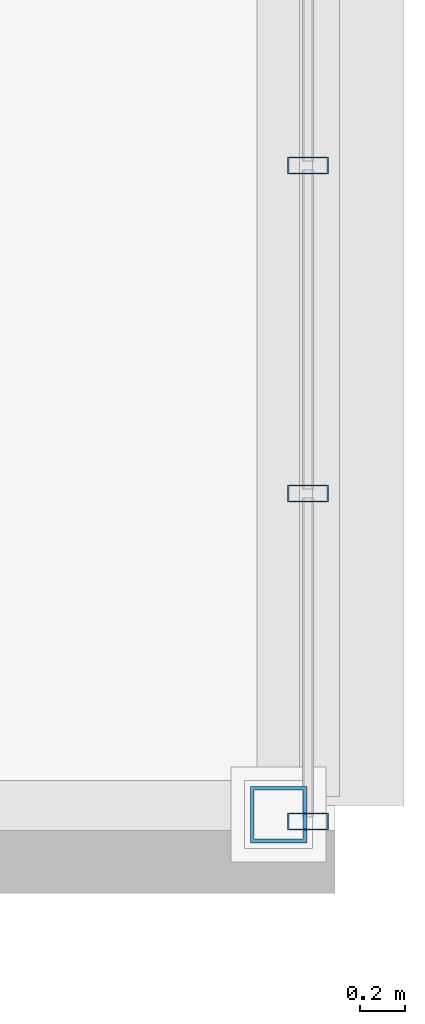
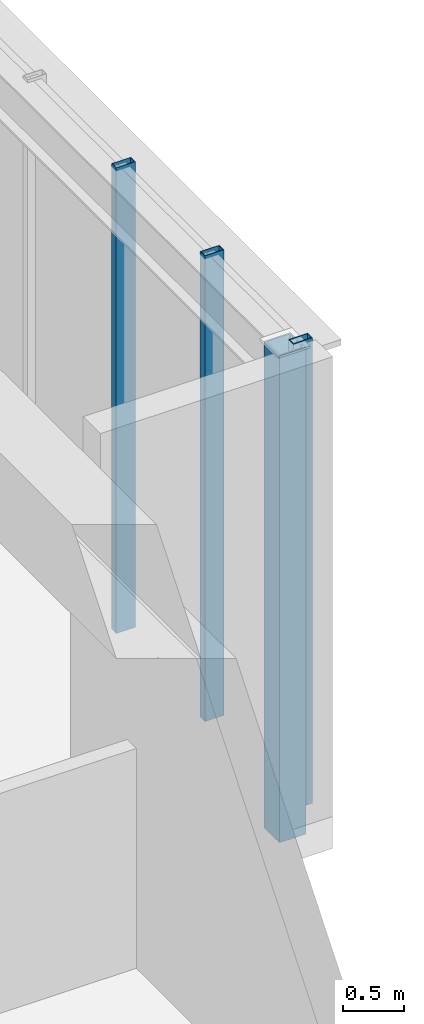
# One storey, part 12 of 26: 4 members, 1 element without a shape of its own.
"""IFC4 building model written with IfcOpenShell, lengths in metres."""

from ifc_helpers import new_model, si_unit, direction, frame, origin, origin_2d, place, context, subcontext, project, spatial, hollow_rectangle, extrude, material, material_profile, profile_set, type_object, element, aggregate, save


model = new_model("IFC4")

# Units and contexts
model_context = context("Model", 3, precision=1e-05, world=origin(), true_north=direction((0.0, 1.0)))
body_context = subcontext(model_context, "Body", "Model", "MODEL_VIEW")
ifc_project = project(units=[si_unit("LENGTHUNIT", "METRE"), si_unit("AREAUNIT", "SQUARE_METRE"), si_unit("VOLUMEUNIT", "CUBIC_METRE"), si_unit("PLANEANGLEUNIT", "RADIAN"), si_unit("MASSUNIT", "GRAM", prefix="KILO")], contexts=[model_context])

# Site, building, storey
site_placement = place(None, origin())
site = spatial("IfcSite", under=ifc_project, at=site_placement, CompositionType="ELEMENT")
building_placement = place(site_placement, origin())
building = spatial("IfcBuilding", under=site, at=building_placement, Name="Zulverin Broadcast Headquarters", CompositionType="ELEMENT")
storey_placement = place(building_placement, frame((0.0, 0.0, 20.0)))
storey = spatial("IfcBuildingStorey", under=building, at=storey_placement, Name="L04", CompositionType="ELEMENT", Elevation=20.0)

# Curtain wall, members
ifc_material_1 = material(Name="Acoustic triple-glazed studio box curtain wall", Category="aluminium")
curtain_wall_type = type_object("IfcCurtainWallType", Name="CW-SBOX", PredefinedType="USERDEFINED", material=ifc_material_1)
curtain_wall_placement = place(storey_placement, origin())
curtain_wall = element("IfcCurtainWall", 1, at=curtain_wall_placement, inside=storey, type_object=curtain_wall_type, Name="L04 Unitised Curtain Wall CW-L04-SBOX_POD_UPPER_E1-F", ObjectType="UNITISED CURTAIN WALL", PredefinedType="USERDEFINED")
ifc_material_2 = material(Name="Anodized pale-metal aluminium alloy 6063-T6", Category="aluminium")
ifc_material_profile_1 = material_profile(ifc_material_2, hollow_rectangle(XDim=0.074951171875, YDim=0.179931640625, WallThickness=0.0048828125, at=origin_2d()), Name="Anodized pale-metal aluminium alloy 6063-T6", Category="aluminium")
ifc_profile_set_1 = profile_set([ifc_material_profile_1], Name="Anodized pale-metal aluminium alloy 6063-T6")
member_type_1 = type_object("IfcMemberType", Name="CW-MUL-180", PredefinedType="MULLION", material=ifc_profile_set_1)
member_1_placement = place(storey_placement, frame((76.080078125, 17.719970703125, -0.030029296875), z_axis=(0.0, 0.0, 1.0), x_axis=(0.0, 1.0, 0.0)))
member_1 = element("IfcMember", 2, at=member_1_placement, type_object=member_type_1, Name="CW-L04-SBOX_POD_UPPER_E1-F Mullion 00", PredefinedType="MULLION", context=body_context, shape_type="SweptSolid", body=[
    extrude(hollow_rectangle(XDim=0.074951171875, YDim=0.179931640625, WallThickness=0.0048828125, at=origin_2d()), origin(), (0.0, 0.0, 1.0), 4.659912109375),
])
member_2_placement = place(storey_placement, frame((76.080078125, 19.17138671875, -0.030029296875), z_axis=(0.0, 0.0, 1.0), x_axis=(0.0, 1.0, 0.0)))
member_2 = element("IfcMember", 3, at=member_2_placement, type_object=member_type_1, Name="CW-L04-SBOX_POD_UPPER_E1-F Mullion 01", PredefinedType="MULLION", context=body_context, shape_type="SweptSolid", body=[
    extrude(hollow_rectangle(XDim=0.074951171875, YDim=0.179931640625, WallThickness=0.0048828125, at=origin_2d()), origin(), (0.0, 0.0, 1.0), 4.659912109375),
])
member_3_placement = place(storey_placement, frame((76.080078125, 20.622802734375, -0.030029296875), z_axis=(0.0, 0.0, 1.0), x_axis=(0.0, 1.0, 0.0)))
member_3 = element("IfcMember", 4, at=member_3_placement, type_object=member_type_1, Name="CW-L04-SBOX_POD_UPPER_E1-F Mullion 02", PredefinedType="MULLION", context=body_context, shape_type="SweptSolid", body=[
    extrude(hollow_rectangle(XDim=0.074951171875, YDim=0.179931640625, WallThickness=0.0048828125, at=origin_2d()), origin(), (0.0, 0.0, 1.0), 4.659912109375),
])
aggregate(curtain_wall, [member_1, member_2, member_3])

# Member
ifc_material_3 = material(Name="Structural steel S355JR", Category="steel")
ifc_material_profile_2 = material_profile(ifc_material_3, hollow_rectangle(XDim=0.25, YDim=0.25, WallThickness=0.01611328125, at=origin_2d()), Name="Structural steel S355JR", Category="steel")
ifc_profile_set_2 = profile_set([ifc_material_profile_2], Name="Structural steel S355JR")
member_type_2 = type_object("IfcMemberType", Name="MBR-BLT-POST", PredefinedType="POST", material=ifc_profile_set_2)
member_4_placement = place(storey_placement, frame((75.949951171875, 17.75, -0.27001953125), z_axis=(0.0, 0.0, 1.0), x_axis=(1.0, 0.0, 0.0)))
element("IfcMember", 5, at=member_4_placement, inside=storey, type_object=member_type_2, Name="L04 Shifted Studio Box Frame Post SBOX_POD_UPPER_E1-1", PredefinedType="POST", context=body_context, shape_type="SweptSolid", body=[
    extrude(hollow_rectangle(XDim=0.25, YDim=0.25, WallThickness=0.01611328125, at=origin_2d()), origin(), (0.0, 0.0, 1.0), 4.8701171875),
])

save(model, "model.ifc")
